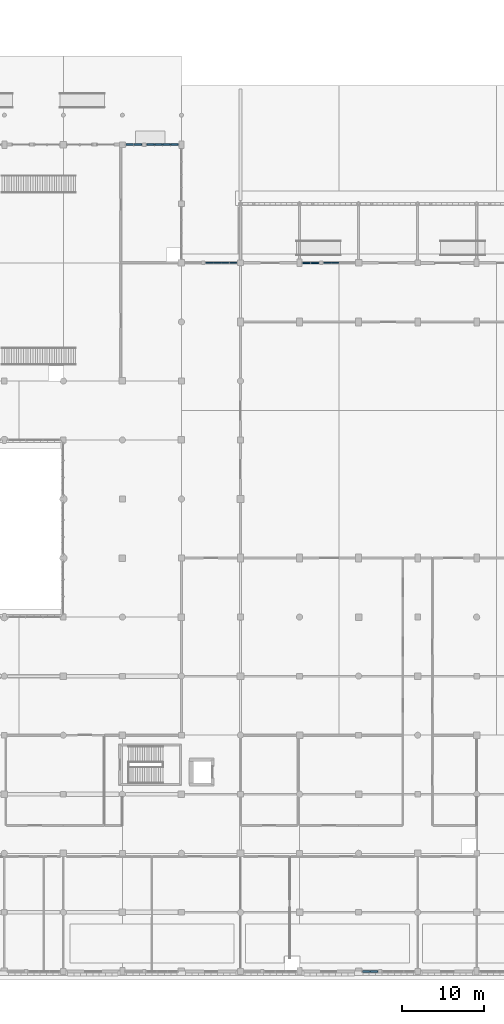
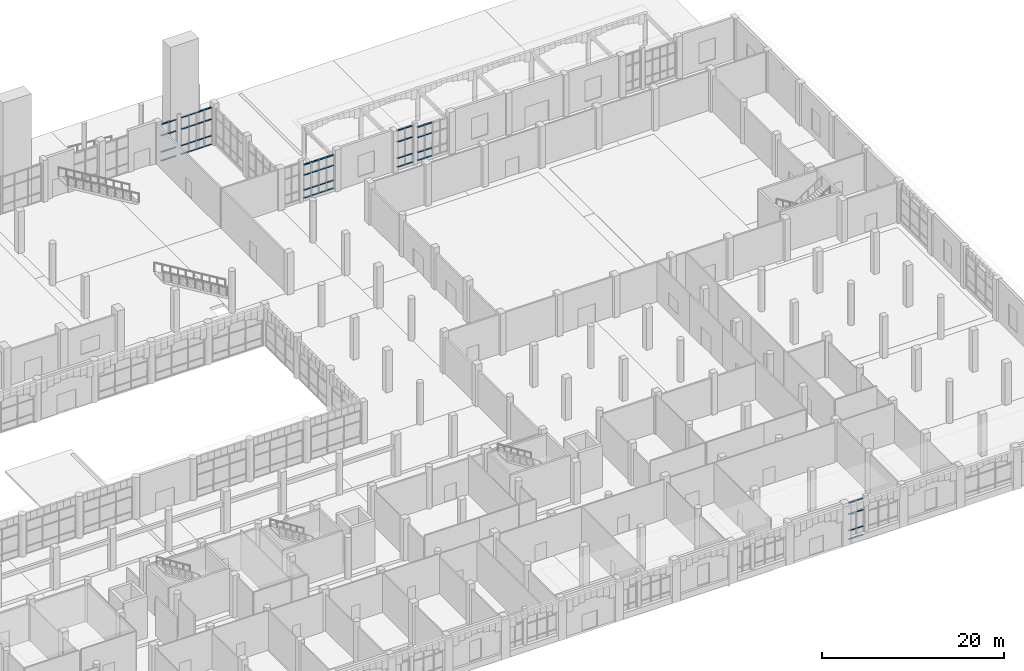
# One storey, part 35 of 85: 64 members, 6 elements without a shape of their own.
"""IFC4 building model written with IfcOpenShell, lengths in metres."""

from ifc_helpers import new_model, si_unit, direction, frame, origin, origin_2d, place, context, subcontext, project, spatial, rectangle, extrude, material, material_profile, profile_set, type_object, element, aggregate, save


model = new_model("IFC4")

# Units and contexts
model_context = context("Model", 3, precision=1e-05, world=origin(), true_north=direction((0.0, 1.0)))
body_context = subcontext(model_context, "Body", "Model", "MODEL_VIEW")
ifc_project = project(units=[si_unit("LENGTHUNIT", "METRE"), si_unit("AREAUNIT", "SQUARE_METRE"), si_unit("VOLUMEUNIT", "CUBIC_METRE"), si_unit("PLANEANGLEUNIT", "RADIAN"), si_unit("MASSUNIT", "GRAM", prefix="KILO")], contexts=[model_context])

# Site, building, storey
site_placement = place(None, origin())
site = spatial("IfcSite", under=ifc_project, at=site_placement, CompositionType="ELEMENT")
building_placement = place(site_placement, origin())
building = spatial("IfcBuilding", under=site, at=building_placement, Name="Sardonyx Promenade Sports Hall", CompositionType="ELEMENT")
storey_placement = place(building_placement, origin())
storey = spatial("IfcBuildingStorey", under=building, at=storey_placement, Name="L00", CompositionType="ELEMENT", Elevation=0.0)

# Curtain wall, members
ifc_material_1 = material(Name="Aluminium 6063-T6", Category="aluminium")
curtain_wall_type_1 = type_object("IfcCurtainWallType", Name="CW_Prac_North_L00", PredefinedType="USERDEFINED", material=ifc_material_1)
curtain_wall_1_placement = place(storey_placement, origin())
curtain_wall_1 = element("IfcCurtainWall", 1, at=curtain_wall_1_placement, inside=storey, type_object=curtain_wall_type_1, Name="Curtain wall CW06 cw:L00:098", ObjectType="CURTAIN WALL", PredefinedType="USERDEFINED")
ifc_material_2 = material(Name="Aluminium 6063-T6", Category="aluminium")
ifc_material_profile_1 = material_profile(ifc_material_2, rectangle(XDim=0.070068359375, YDim=0.159912109375, at=origin_2d()))
ifc_profile_set_1 = profile_set([ifc_material_profile_1], Name="Aluminium 6063-T6")
member_type_1 = type_object("IfcMemberType", Name="CW_Tran_160", PredefinedType="USERDEFINED", material=ifc_profile_set_1)
member_1_placement = place(storey_placement, frame((110.965087890625, 86.39990234375, 0.385009765625), z_axis=(1.0, 0.0, 0.0), x_axis=(0.0, 0.0, 1.0)))
member_1 = element("IfcMember", 2, at=member_1_placement, type_object=member_type_1, Name="Transom CT03 cw:L00:098 #1", ObjectType="TRANSOM", PredefinedType="USERDEFINED", context=body_context, shape_type="SweptSolid", body=[
    extrude(rectangle(XDim=0.070068359375, YDim=0.159912109375, at=origin_2d()), origin(), (0.0, 0.0, 1.0), 0.896240234375),
])
member_2_placement = place(storey_placement, frame((110.965087890625, 86.39990234375, 1.449951171875), z_axis=(1.0, 0.0, 0.0), x_axis=(0.0, 0.0, 1.0)))
member_2 = element("IfcMember", 3, at=member_2_placement, type_object=member_type_1, Name="Transom CT03 cw:L00:098 #2", ObjectType="TRANSOM", PredefinedType="USERDEFINED", context=body_context, shape_type="SweptSolid", body=[
    extrude(rectangle(XDim=0.070068359375, YDim=0.159912109375, at=origin_2d()), origin(), (0.0, 0.0, 1.0), 0.896240234375),
])
member_3_placement = place(storey_placement, frame((110.965087890625, 86.39990234375, 3.449951171875), z_axis=(1.0, 0.0, 0.0), x_axis=(0.0, 0.0, 1.0)))
member_3 = element("IfcMember", 4, at=member_3_placement, type_object=member_type_1, Name="Transom CT03 cw:L00:098 #3", ObjectType="TRANSOM", PredefinedType="USERDEFINED", context=body_context, shape_type="SweptSolid", body=[
    extrude(rectangle(XDim=0.070068359375, YDim=0.159912109375, at=origin_2d()), origin(), (0.0, 0.0, 1.0), 0.896240234375),
])
member_4_placement = place(storey_placement, frame((110.965087890625, 86.39990234375, 4.81494140625), z_axis=(1.0, 0.0, 0.0), x_axis=(0.0, 0.0, 1.0)))
member_4 = element("IfcMember", 5, at=member_4_placement, type_object=member_type_1, Name="Transom CT03 cw:L00:098 #4", ObjectType="TRANSOM", PredefinedType="USERDEFINED", context=body_context, shape_type="SweptSolid", body=[
    extrude(rectangle(XDim=0.070068359375, YDim=0.159912109375, at=origin_2d()), origin(), (0.0, 0.0, 1.0), 0.896240234375),
])
member_5_placement = place(storey_placement, frame((111.93115234375, 86.39990234375, 0.385009765625), z_axis=(1.0, 0.0, 0.0), x_axis=(0.0, 0.0, 1.0)))
member_5 = element("IfcMember", 6, at=member_5_placement, type_object=member_type_1, Name="Transom CT03 cw:L00:098 #5", ObjectType="TRANSOM", PredefinedType="USERDEFINED", context=body_context, shape_type="SweptSolid", body=[
    extrude(rectangle(XDim=0.070068359375, YDim=0.159912109375, at=origin_2d()), origin(), (0.0, 0.0, 1.0), 0.896240234375),
])
member_6_placement = place(storey_placement, frame((111.93115234375, 86.39990234375, 1.449951171875), z_axis=(1.0, 0.0, 0.0), x_axis=(0.0, 0.0, 1.0)))
member_6 = element("IfcMember", 7, at=member_6_placement, type_object=member_type_1, Name="Transom CT03 cw:L00:098 #6", ObjectType="TRANSOM", PredefinedType="USERDEFINED", context=body_context, shape_type="SweptSolid", body=[
    extrude(rectangle(XDim=0.070068359375, YDim=0.159912109375, at=origin_2d()), origin(), (0.0, 0.0, 1.0), 0.896240234375),
])
member_7_placement = place(storey_placement, frame((111.93115234375, 86.39990234375, 3.449951171875), z_axis=(1.0, 0.0, 0.0), x_axis=(0.0, 0.0, 1.0)))
member_7 = element("IfcMember", 8, at=member_7_placement, type_object=member_type_1, Name="Transom CT03 cw:L00:098 #7", ObjectType="TRANSOM", PredefinedType="USERDEFINED", context=body_context, shape_type="SweptSolid", body=[
    extrude(rectangle(XDim=0.070068359375, YDim=0.159912109375, at=origin_2d()), origin(), (0.0, 0.0, 1.0), 0.896240234375),
])
member_8_placement = place(storey_placement, frame((111.93115234375, 86.39990234375, 4.81494140625), z_axis=(1.0, 0.0, 0.0), x_axis=(0.0, 0.0, 1.0)))
member_8 = element("IfcMember", 9, at=member_8_placement, type_object=member_type_1, Name="Transom CT03 cw:L00:098 #8", ObjectType="TRANSOM", PredefinedType="USERDEFINED", context=body_context, shape_type="SweptSolid", body=[
    extrude(rectangle(XDim=0.070068359375, YDim=0.159912109375, at=origin_2d()), origin(), (0.0, 0.0, 1.0), 0.896240234375),
])
member_9_placement = place(storey_placement, frame((112.8974609375, 86.39990234375, 0.385009765625), z_axis=(1.0, 0.0, 0.0), x_axis=(0.0, 0.0, 1.0)))
member_9 = element("IfcMember", 10, at=member_9_placement, type_object=member_type_1, Name="Transom CT03 cw:L00:098 #9", ObjectType="TRANSOM", PredefinedType="USERDEFINED", context=body_context, shape_type="SweptSolid", body=[
    extrude(rectangle(XDim=0.070068359375, YDim=0.159912109375, at=origin_2d()), origin(), (0.0, 0.0, 1.0), 0.896240234375),
])
member_10_placement = place(storey_placement, frame((112.8974609375, 86.39990234375, 1.449951171875), z_axis=(1.0, 0.0, 0.0), x_axis=(0.0, 0.0, 1.0)))
member_10 = element("IfcMember", 11, at=member_10_placement, type_object=member_type_1, Name="Transom CT03 cw:L00:098 #10", ObjectType="TRANSOM", PredefinedType="USERDEFINED", context=body_context, shape_type="SweptSolid", body=[
    extrude(rectangle(XDim=0.070068359375, YDim=0.159912109375, at=origin_2d()), origin(), (0.0, 0.0, 1.0), 0.896240234375),
])
member_11_placement = place(storey_placement, frame((112.8974609375, 86.39990234375, 3.449951171875), z_axis=(1.0, 0.0, 0.0), x_axis=(0.0, 0.0, 1.0)))
member_11 = element("IfcMember", 12, at=member_11_placement, type_object=member_type_1, Name="Transom CT03 cw:L00:098 #11", ObjectType="TRANSOM", PredefinedType="USERDEFINED", context=body_context, shape_type="SweptSolid", body=[
    extrude(rectangle(XDim=0.070068359375, YDim=0.159912109375, at=origin_2d()), origin(), (0.0, 0.0, 1.0), 0.896240234375),
])
member_12_placement = place(storey_placement, frame((112.8974609375, 86.39990234375, 4.81494140625), z_axis=(1.0, 0.0, 0.0), x_axis=(0.0, 0.0, 1.0)))
member_12 = element("IfcMember", 13, at=member_12_placement, type_object=member_type_1, Name="Transom CT03 cw:L00:098 #12", ObjectType="TRANSOM", PredefinedType="USERDEFINED", context=body_context, shape_type="SweptSolid", body=[
    extrude(rectangle(XDim=0.070068359375, YDim=0.159912109375, at=origin_2d()), origin(), (0.0, 0.0, 1.0), 0.896240234375),
])
member_13_placement = place(storey_placement, frame((113.86376953125, 86.39990234375, 0.385009765625), z_axis=(1.0, 0.0, 0.0), x_axis=(0.0, 0.0, 1.0)))
member_13 = element("IfcMember", 14, at=member_13_placement, type_object=member_type_1, Name="Transom CT03 cw:L00:098 #13", ObjectType="TRANSOM", PredefinedType="USERDEFINED", context=body_context, shape_type="SweptSolid", body=[
    extrude(rectangle(XDim=0.070068359375, YDim=0.159912109375, at=origin_2d()), origin(), (0.0, 0.0, 1.0), 0.896240234375),
])
member_14_placement = place(storey_placement, frame((113.86376953125, 86.39990234375, 1.449951171875), z_axis=(1.0, 0.0, 0.0), x_axis=(0.0, 0.0, 1.0)))
member_14 = element("IfcMember", 15, at=member_14_placement, type_object=member_type_1, Name="Transom CT03 cw:L00:098 #14", ObjectType="TRANSOM", PredefinedType="USERDEFINED", context=body_context, shape_type="SweptSolid", body=[
    extrude(rectangle(XDim=0.070068359375, YDim=0.159912109375, at=origin_2d()), origin(), (0.0, 0.0, 1.0), 0.896240234375),
])
member_15_placement = place(storey_placement, frame((113.86376953125, 86.39990234375, 3.449951171875), z_axis=(1.0, 0.0, 0.0), x_axis=(0.0, 0.0, 1.0)))
member_15 = element("IfcMember", 16, at=member_15_placement, type_object=member_type_1, Name="Transom CT03 cw:L00:098 #15", ObjectType="TRANSOM", PredefinedType="USERDEFINED", context=body_context, shape_type="SweptSolid", body=[
    extrude(rectangle(XDim=0.070068359375, YDim=0.159912109375, at=origin_2d()), origin(), (0.0, 0.0, 1.0), 0.896240234375),
])
member_16_placement = place(storey_placement, frame((113.86376953125, 86.39990234375, 4.81494140625), z_axis=(1.0, 0.0, 0.0), x_axis=(0.0, 0.0, 1.0)))
member_16 = element("IfcMember", 17, at=member_16_placement, type_object=member_type_1, Name="Transom CT03 cw:L00:098 #16", ObjectType="TRANSOM", PredefinedType="USERDEFINED", context=body_context, shape_type="SweptSolid", body=[
    extrude(rectangle(XDim=0.070068359375, YDim=0.159912109375, at=origin_2d()), origin(), (0.0, 0.0, 1.0), 0.896240234375),
])
aggregate(curtain_wall_1, [member_1, member_2, member_3, member_4, member_5, member_6, member_7, member_8, member_9, member_10, member_11, member_12, member_13, member_14, member_15, member_16])

curtain_wall_2_placement = place(storey_placement, origin())
curtain_wall_2 = element("IfcCurtainWall", 18, at=curtain_wall_2_placement, inside=storey, type_object=curtain_wall_type_1, Name="Curtain wall CW06 cw:L00:100", ObjectType="CURTAIN WALL", PredefinedType="USERDEFINED")
member_17_placement = place(storey_placement, frame((125.364990234375, 86.39990234375, 0.385009765625), z_axis=(1.0, 0.0, 0.0), x_axis=(0.0, 0.0, 1.0)))
member_17 = element("IfcMember", 19, at=member_17_placement, type_object=member_type_1, Name="Transom CT03 cw:L00:100 #1", ObjectType="TRANSOM", PredefinedType="USERDEFINED", context=body_context, shape_type="SweptSolid", body=[
    extrude(rectangle(XDim=0.070068359375, YDim=0.159912109375, at=origin_2d()), origin(), (0.0, 0.0, 1.0), 0.8837890625),
])
member_18_placement = place(storey_placement, frame((125.364990234375, 86.39990234375, 1.449951171875), z_axis=(1.0, 0.0, 0.0), x_axis=(0.0, 0.0, 1.0)))
member_18 = element("IfcMember", 20, at=member_18_placement, type_object=member_type_1, Name="Transom CT03 cw:L00:100 #2", ObjectType="TRANSOM", PredefinedType="USERDEFINED", context=body_context, shape_type="SweptSolid", body=[
    extrude(rectangle(XDim=0.070068359375, YDim=0.159912109375, at=origin_2d()), origin(), (0.0, 0.0, 1.0), 0.8837890625),
])
member_19_placement = place(storey_placement, frame((125.364990234375, 86.39990234375, 3.449951171875), z_axis=(1.0, 0.0, 0.0), x_axis=(0.0, 0.0, 1.0)))
member_19 = element("IfcMember", 21, at=member_19_placement, type_object=member_type_1, Name="Transom CT03 cw:L00:100 #3", ObjectType="TRANSOM", PredefinedType="USERDEFINED", context=body_context, shape_type="SweptSolid", body=[
    extrude(rectangle(XDim=0.070068359375, YDim=0.159912109375, at=origin_2d()), origin(), (0.0, 0.0, 1.0), 0.8837890625),
])
member_20_placement = place(storey_placement, frame((125.364990234375, 86.39990234375, 4.81494140625), z_axis=(1.0, 0.0, 0.0), x_axis=(0.0, 0.0, 1.0)))
member_20 = element("IfcMember", 22, at=member_20_placement, type_object=member_type_1, Name="Transom CT03 cw:L00:100 #4", ObjectType="TRANSOM", PredefinedType="USERDEFINED", context=body_context, shape_type="SweptSolid", body=[
    extrude(rectangle(XDim=0.070068359375, YDim=0.159912109375, at=origin_2d()), origin(), (0.0, 0.0, 1.0), 0.8837890625),
])
member_21_placement = place(storey_placement, frame((126.31884765625, 86.39990234375, 0.385009765625), z_axis=(1.0, 0.0, 0.0), x_axis=(0.0, 0.0, 1.0)))
member_21 = element("IfcMember", 23, at=member_21_placement, type_object=member_type_1, Name="Transom CT03 cw:L00:100 #5", ObjectType="TRANSOM", PredefinedType="USERDEFINED", context=body_context, shape_type="SweptSolid", body=[
    extrude(rectangle(XDim=0.070068359375, YDim=0.159912109375, at=origin_2d()), origin(), (0.0, 0.0, 1.0), 0.883544921875),
])
member_22_placement = place(storey_placement, frame((126.31884765625, 86.39990234375, 1.449951171875), z_axis=(1.0, 0.0, 0.0), x_axis=(0.0, 0.0, 1.0)))
member_22 = element("IfcMember", 24, at=member_22_placement, type_object=member_type_1, Name="Transom CT03 cw:L00:100 #6", ObjectType="TRANSOM", PredefinedType="USERDEFINED", context=body_context, shape_type="SweptSolid", body=[
    extrude(rectangle(XDim=0.070068359375, YDim=0.159912109375, at=origin_2d()), origin(), (0.0, 0.0, 1.0), 0.883544921875),
])
member_23_placement = place(storey_placement, frame((126.31884765625, 86.39990234375, 3.449951171875), z_axis=(1.0, 0.0, 0.0), x_axis=(0.0, 0.0, 1.0)))
member_23 = element("IfcMember", 25, at=member_23_placement, type_object=member_type_1, Name="Transom CT03 cw:L00:100 #7", ObjectType="TRANSOM", PredefinedType="USERDEFINED", context=body_context, shape_type="SweptSolid", body=[
    extrude(rectangle(XDim=0.070068359375, YDim=0.159912109375, at=origin_2d()), origin(), (0.0, 0.0, 1.0), 0.883544921875),
])
member_24_placement = place(storey_placement, frame((126.31884765625, 86.39990234375, 4.81494140625), z_axis=(1.0, 0.0, 0.0), x_axis=(0.0, 0.0, 1.0)))
member_24 = element("IfcMember", 26, at=member_24_placement, type_object=member_type_1, Name="Transom CT03 cw:L00:100 #8", ObjectType="TRANSOM", PredefinedType="USERDEFINED", context=body_context, shape_type="SweptSolid", body=[
    extrude(rectangle(XDim=0.070068359375, YDim=0.159912109375, at=origin_2d()), origin(), (0.0, 0.0, 1.0), 0.883544921875),
])
aggregate(curtain_wall_2, [member_17, member_18, member_19, member_20, member_21, member_22, member_23, member_24])

ifc_material_3 = material(Name="Aluminium 6063-T6", Category="aluminium")
curtain_wall_type_2 = type_object("IfcCurtainWallType", Name="CW_Foyer_Pilaster_L00", PredefinedType="USERDEFINED", material=ifc_material_3)
curtain_wall_3_placement = place(storey_placement, origin())
curtain_wall_3 = element("IfcCurtainWall", 27, at=curtain_wall_3_placement, inside=storey, type_object=curtain_wall_type_2, Name="Curtain wall CW20 cw:L00:004", ObjectType="CURTAIN WALL", PredefinedType="USERDEFINED")
ifc_material_4 = material(Name="Aluminium 6063-T6", Category="aluminium")
ifc_material_profile_2 = material_profile(ifc_material_4, rectangle(XDim=0.074951171875, YDim=0.179931640625, at=origin_2d()))
ifc_profile_set_2 = profile_set([ifc_material_profile_2], Name="Aluminium 6063-T6")
member_type_2 = type_object("IfcMemberType", Name="CW_Tran_180", PredefinedType="USERDEFINED", material=ifc_profile_set_2)
member_25_placement = place(storey_placement, frame((131.929931640625, 0.0, 0.387451171875), z_axis=(-1.0, 0.0, 0.0), x_axis=(0.0, 0.0, 1.0)))
member_25 = element("IfcMember", 28, at=member_25_placement, type_object=member_type_2, Name="Transom CT04 cw:L00:004 #1", ObjectType="TRANSOM", PredefinedType="USERDEFINED", context=body_context, shape_type="SweptSolid", body=[
    extrude(rectangle(XDim=0.074951171875, YDim=0.179931640625, at=origin_2d()), origin(), (0.0, 0.0, 1.0), 0.8798828125),
])
member_26_placement = place(storey_placement, frame((131.929931640625, 0.0, 1.550048828125), z_axis=(-1.0, 0.0, 0.0), x_axis=(0.0, 0.0, 1.0)))
member_26 = element("IfcMember", 29, at=member_26_placement, type_object=member_type_2, Name="Transom CT04 cw:L00:004 #2", ObjectType="TRANSOM", PredefinedType="USERDEFINED", context=body_context, shape_type="SweptSolid", body=[
    extrude(rectangle(XDim=0.074951171875, YDim=0.179931640625, at=origin_2d()), origin(), (0.0, 0.0, 1.0), 0.8798828125),
])
member_27_placement = place(storey_placement, frame((131.929931640625, 0.0, 3.75), z_axis=(-1.0, 0.0, 0.0), x_axis=(0.0, 0.0, 1.0)))
member_27 = element("IfcMember", 30, at=member_27_placement, type_object=member_type_2, Name="Transom CT04 cw:L00:004 #3", ObjectType="TRANSOM", PredefinedType="USERDEFINED", context=body_context, shape_type="SweptSolid", body=[
    extrude(rectangle(XDim=0.074951171875, YDim=0.179931640625, at=origin_2d()), origin(), (0.0, 0.0, 1.0), 0.8798828125),
])
member_28_placement = place(storey_placement, frame((131.929931640625, 0.0, 5.262451171875), z_axis=(-1.0, 0.0, 0.0), x_axis=(0.0, 0.0, 1.0)))
member_28 = element("IfcMember", 31, at=member_28_placement, type_object=member_type_2, Name="Transom CT04 cw:L00:004 #4", ObjectType="TRANSOM", PredefinedType="USERDEFINED", context=body_context, shape_type="SweptSolid", body=[
    extrude(rectangle(XDim=0.074951171875, YDim=0.179931640625, at=origin_2d()), origin(), (0.0, 0.0, 1.0), 0.8798828125),
])
member_29_placement = place(storey_placement, frame((130.97509765625, 0.0, 0.387451171875), z_axis=(-1.0, 0.0, 0.0), x_axis=(0.0, 0.0, 1.0)))
member_29 = element("IfcMember", 32, at=member_29_placement, type_object=member_type_2, Name="Transom CT04 cw:L00:004 #5", ObjectType="TRANSOM", PredefinedType="USERDEFINED", context=body_context, shape_type="SweptSolid", body=[
    extrude(rectangle(XDim=0.074951171875, YDim=0.179931640625, at=origin_2d()), origin(), (0.0, 0.0, 1.0), 0.880126953125),
])
member_30_placement = place(storey_placement, frame((130.97509765625, 0.0, 1.550048828125), z_axis=(-1.0, 0.0, 0.0), x_axis=(0.0, 0.0, 1.0)))
member_30 = element("IfcMember", 33, at=member_30_placement, type_object=member_type_2, Name="Transom CT04 cw:L00:004 #6", ObjectType="TRANSOM", PredefinedType="USERDEFINED", context=body_context, shape_type="SweptSolid", body=[
    extrude(rectangle(XDim=0.074951171875, YDim=0.179931640625, at=origin_2d()), origin(), (0.0, 0.0, 1.0), 0.880126953125),
])
member_31_placement = place(storey_placement, frame((130.97509765625, 0.0, 3.75), z_axis=(-1.0, 0.0, 0.0), x_axis=(0.0, 0.0, 1.0)))
member_31 = element("IfcMember", 34, at=member_31_placement, type_object=member_type_2, Name="Transom CT04 cw:L00:004 #7", ObjectType="TRANSOM", PredefinedType="USERDEFINED", context=body_context, shape_type="SweptSolid", body=[
    extrude(rectangle(XDim=0.074951171875, YDim=0.179931640625, at=origin_2d()), origin(), (0.0, 0.0, 1.0), 0.880126953125),
])
member_32_placement = place(storey_placement, frame((130.97509765625, 0.0, 5.262451171875), z_axis=(-1.0, 0.0, 0.0), x_axis=(0.0, 0.0, 1.0)))
member_32 = element("IfcMember", 35, at=member_32_placement, type_object=member_type_2, Name="Transom CT04 cw:L00:004 #8", ObjectType="TRANSOM", PredefinedType="USERDEFINED", context=body_context, shape_type="SweptSolid", body=[
    extrude(rectangle(XDim=0.074951171875, YDim=0.179931640625, at=origin_2d()), origin(), (0.0, 0.0, 1.0), 0.880126953125),
])
aggregate(curtain_wall_3, [member_25, member_26, member_27, member_28, member_29, member_30, member_31, member_32])

curtain_wall_4_placement = place(storey_placement, origin())
curtain_wall_4 = element("IfcCurtainWall", 36, at=curtain_wall_4_placement, inside=storey, type_object=curtain_wall_type_2, Name="Curtain wall CW20 cw:L00:087", ObjectType="CURTAIN WALL", PredefinedType="USERDEFINED")
member_33_placement = place(storey_placement, frame((101.2451171875, 100.800048828125, 0.03759765625), z_axis=(1.0, 0.0, 0.0), x_axis=(0.0, 0.0, 1.0)))
member_33 = element("IfcMember", 37, at=member_33_placement, type_object=member_type_2, Name="Transom CT04 cw:L00:087 #1", ObjectType="TRANSOM", PredefinedType="USERDEFINED", context=body_context, shape_type="SweptSolid", body=[
    extrude(rectangle(XDim=0.074951171875, YDim=0.179931640625, at=origin_2d()), origin(), (0.0, 0.0, 1.0), 0.90478515625),
])
member_34_placement = place(storey_placement, frame((101.2451171875, 100.800048828125, 1.199951171875), z_axis=(1.0, 0.0, 0.0), x_axis=(0.0, 0.0, 1.0)))
member_34 = element("IfcMember", 38, at=member_34_placement, type_object=member_type_2, Name="Transom CT04 cw:L00:087 #2", ObjectType="TRANSOM", PredefinedType="USERDEFINED", context=body_context, shape_type="SweptSolid", body=[
    extrude(rectangle(XDim=0.074951171875, YDim=0.179931640625, at=origin_2d()), origin(), (0.0, 0.0, 1.0), 0.90478515625),
])
member_35_placement = place(storey_placement, frame((101.2451171875, 100.800048828125, 3.39990234375), z_axis=(1.0, 0.0, 0.0), x_axis=(0.0, 0.0, 1.0)))
member_35 = element("IfcMember", 39, at=member_35_placement, type_object=member_type_2, Name="Transom CT04 cw:L00:087 #3", ObjectType="TRANSOM", PredefinedType="USERDEFINED", context=body_context, shape_type="SweptSolid", body=[
    extrude(rectangle(XDim=0.074951171875, YDim=0.179931640625, at=origin_2d()), origin(), (0.0, 0.0, 1.0), 0.90478515625),
])
member_36_placement = place(storey_placement, frame((101.2451171875, 100.800048828125, 4.91259765625), z_axis=(1.0, 0.0, 0.0), x_axis=(0.0, 0.0, 1.0)))
member_36 = element("IfcMember", 40, at=member_36_placement, type_object=member_type_2, Name="Transom CT04 cw:L00:087 #4", ObjectType="TRANSOM", PredefinedType="USERDEFINED", context=body_context, shape_type="SweptSolid", body=[
    extrude(rectangle(XDim=0.074951171875, YDim=0.179931640625, at=origin_2d()), origin(), (0.0, 0.0, 1.0), 0.90478515625),
])
member_37_placement = place(storey_placement, frame((102.22509765625, 100.800048828125, 0.03759765625), z_axis=(1.0, 0.0, 0.0), x_axis=(0.0, 0.0, 1.0)))
member_37 = element("IfcMember", 41, at=member_37_placement, type_object=member_type_2, Name="Transom CT04 cw:L00:087 #5", ObjectType="TRANSOM", PredefinedType="USERDEFINED", context=body_context, shape_type="SweptSolid", body=[
    extrude(rectangle(XDim=0.074951171875, YDim=0.179931640625, at=origin_2d()), origin(), (0.0, 0.0, 1.0), 0.90478515625),
])
member_38_placement = place(storey_placement, frame((102.22509765625, 100.800048828125, 1.199951171875), z_axis=(1.0, 0.0, 0.0), x_axis=(0.0, 0.0, 1.0)))
member_38 = element("IfcMember", 42, at=member_38_placement, type_object=member_type_2, Name="Transom CT04 cw:L00:087 #6", ObjectType="TRANSOM", PredefinedType="USERDEFINED", context=body_context, shape_type="SweptSolid", body=[
    extrude(rectangle(XDim=0.074951171875, YDim=0.179931640625, at=origin_2d()), origin(), (0.0, 0.0, 1.0), 0.90478515625),
])
member_39_placement = place(storey_placement, frame((102.22509765625, 100.800048828125, 3.39990234375), z_axis=(1.0, 0.0, 0.0), x_axis=(0.0, 0.0, 1.0)))
member_39 = element("IfcMember", 43, at=member_39_placement, type_object=member_type_2, Name="Transom CT04 cw:L00:087 #7", ObjectType="TRANSOM", PredefinedType="USERDEFINED", context=body_context, shape_type="SweptSolid", body=[
    extrude(rectangle(XDim=0.074951171875, YDim=0.179931640625, at=origin_2d()), origin(), (0.0, 0.0, 1.0), 0.90478515625),
])
member_40_placement = place(storey_placement, frame((102.22509765625, 100.800048828125, 4.91259765625), z_axis=(1.0, 0.0, 0.0), x_axis=(0.0, 0.0, 1.0)))
member_40 = element("IfcMember", 44, at=member_40_placement, type_object=member_type_2, Name="Transom CT04 cw:L00:087 #8", ObjectType="TRANSOM", PredefinedType="USERDEFINED", context=body_context, shape_type="SweptSolid", body=[
    extrude(rectangle(XDim=0.074951171875, YDim=0.179931640625, at=origin_2d()), origin(), (0.0, 0.0, 1.0), 0.90478515625),
])
aggregate(curtain_wall_4, [member_33, member_34, member_35, member_36, member_37, member_38, member_39, member_40])

ifc_material_5 = material(Name="Aluminium 6063-T6", Category="aluminium")
curtain_wall_type_3 = type_object("IfcCurtainWallType", Name="CW_Foyer_L00_Tall", PredefinedType="USERDEFINED", material=ifc_material_5)
curtain_wall_5_placement = place(storey_placement, origin())
curtain_wall_5 = element("IfcCurtainWall", 45, at=curtain_wall_5_placement, inside=storey, type_object=curtain_wall_type_3, Name="Curtain wall CW13 cw:L00:088", ObjectType="CURTAIN WALL", PredefinedType="USERDEFINED")
member_41_placement = place(storey_placement, frame((103.77001953125, 100.800048828125, 0.03759765625), z_axis=(1.0, 0.0, 0.0), x_axis=(0.0, 0.0, 1.0)))
member_41 = element("IfcMember", 46, at=member_41_placement, type_object=member_type_2, Name="Transom CT04 cw:L00:088 #1", ObjectType="TRANSOM", PredefinedType="USERDEFINED", context=body_context, shape_type="SweptSolid", body=[
    extrude(rectangle(XDim=0.074951171875, YDim=0.179931640625, at=origin_2d()), origin(), (0.0, 0.0, 1.0), 0.902587890625),
])
member_42_placement = place(storey_placement, frame((103.77001953125, 100.800048828125, 1.199951171875), z_axis=(1.0, 0.0, 0.0), x_axis=(0.0, 0.0, 1.0)))
member_42 = element("IfcMember", 47, at=member_42_placement, type_object=member_type_2, Name="Transom CT04 cw:L00:088 #2", ObjectType="TRANSOM", PredefinedType="USERDEFINED", context=body_context, shape_type="SweptSolid", body=[
    extrude(rectangle(XDim=0.074951171875, YDim=0.179931640625, at=origin_2d()), origin(), (0.0, 0.0, 1.0), 0.902587890625),
])
member_43_placement = place(storey_placement, frame((103.77001953125, 100.800048828125, 3.39990234375), z_axis=(1.0, 0.0, 0.0), x_axis=(0.0, 0.0, 1.0)))
member_43 = element("IfcMember", 48, at=member_43_placement, type_object=member_type_2, Name="Transom CT04 cw:L00:088 #3", ObjectType="TRANSOM", PredefinedType="USERDEFINED", context=body_context, shape_type="SweptSolid", body=[
    extrude(rectangle(XDim=0.074951171875, YDim=0.179931640625, at=origin_2d()), origin(), (0.0, 0.0, 1.0), 0.902587890625),
])
member_44_placement = place(storey_placement, frame((103.77001953125, 100.800048828125, 4.947509765625), z_axis=(1.0, 0.0, 0.0), x_axis=(0.0, 0.0, 1.0)))
member_44 = element("IfcMember", 49, at=member_44_placement, type_object=member_type_2, Name="Transom CT04 cw:L00:088 #4", ObjectType="TRANSOM", PredefinedType="USERDEFINED", context=body_context, shape_type="SweptSolid", body=[
    extrude(rectangle(XDim=0.074951171875, YDim=0.179931640625, at=origin_2d()), origin(), (0.0, 0.0, 1.0), 0.902587890625),
])
member_45_placement = place(storey_placement, frame((104.74755859375, 100.800048828125, 0.03759765625), z_axis=(1.0, 0.0, 0.0), x_axis=(0.0, 0.0, 1.0)))
member_45 = element("IfcMember", 50, at=member_45_placement, type_object=member_type_2, Name="Transom CT04 cw:L00:088 #5", ObjectType="TRANSOM", PredefinedType="USERDEFINED", context=body_context, shape_type="SweptSolid", body=[
    extrude(rectangle(XDim=0.074951171875, YDim=0.179931640625, at=origin_2d()), origin(), (0.0, 0.0, 1.0), 0.90234375),
])
member_46_placement = place(storey_placement, frame((104.74755859375, 100.800048828125, 1.199951171875), z_axis=(1.0, 0.0, 0.0), x_axis=(0.0, 0.0, 1.0)))
member_46 = element("IfcMember", 51, at=member_46_placement, type_object=member_type_2, Name="Transom CT04 cw:L00:088 #6", ObjectType="TRANSOM", PredefinedType="USERDEFINED", context=body_context, shape_type="SweptSolid", body=[
    extrude(rectangle(XDim=0.074951171875, YDim=0.179931640625, at=origin_2d()), origin(), (0.0, 0.0, 1.0), 0.90234375),
])
member_47_placement = place(storey_placement, frame((104.74755859375, 100.800048828125, 3.39990234375), z_axis=(1.0, 0.0, 0.0), x_axis=(0.0, 0.0, 1.0)))
member_47 = element("IfcMember", 52, at=member_47_placement, type_object=member_type_2, Name="Transom CT04 cw:L00:088 #7", ObjectType="TRANSOM", PredefinedType="USERDEFINED", context=body_context, shape_type="SweptSolid", body=[
    extrude(rectangle(XDim=0.074951171875, YDim=0.179931640625, at=origin_2d()), origin(), (0.0, 0.0, 1.0), 0.90234375),
])
member_48_placement = place(storey_placement, frame((104.74755859375, 100.800048828125, 4.947509765625), z_axis=(1.0, 0.0, 0.0), x_axis=(0.0, 0.0, 1.0)))
member_48 = element("IfcMember", 53, at=member_48_placement, type_object=member_type_2, Name="Transom CT04 cw:L00:088 #8", ObjectType="TRANSOM", PredefinedType="USERDEFINED", context=body_context, shape_type="SweptSolid", body=[
    extrude(rectangle(XDim=0.074951171875, YDim=0.179931640625, at=origin_2d()), origin(), (0.0, 0.0, 1.0), 0.90234375),
])
member_49_placement = place(storey_placement, frame((105.72509765625, 100.800048828125, 0.03759765625), z_axis=(1.0, 0.0, 0.0), x_axis=(0.0, 0.0, 1.0)))
member_49 = element("IfcMember", 54, at=member_49_placement, type_object=member_type_2, Name="Transom CT04 cw:L00:088 #9", ObjectType="TRANSOM", PredefinedType="USERDEFINED", context=body_context, shape_type="SweptSolid", body=[
    extrude(rectangle(XDim=0.074951171875, YDim=0.179931640625, at=origin_2d()), origin(), (0.0, 0.0, 1.0), 0.90234375),
])
member_50_placement = place(storey_placement, frame((105.72509765625, 100.800048828125, 1.199951171875), z_axis=(1.0, 0.0, 0.0), x_axis=(0.0, 0.0, 1.0)))
member_50 = element("IfcMember", 55, at=member_50_placement, type_object=member_type_2, Name="Transom CT04 cw:L00:088 #10", ObjectType="TRANSOM", PredefinedType="USERDEFINED", context=body_context, shape_type="SweptSolid", body=[
    extrude(rectangle(XDim=0.074951171875, YDim=0.179931640625, at=origin_2d()), origin(), (0.0, 0.0, 1.0), 0.90234375),
])
member_51_placement = place(storey_placement, frame((105.72509765625, 100.800048828125, 3.39990234375), z_axis=(1.0, 0.0, 0.0), x_axis=(0.0, 0.0, 1.0)))
member_51 = element("IfcMember", 56, at=member_51_placement, type_object=member_type_2, Name="Transom CT04 cw:L00:088 #11", ObjectType="TRANSOM", PredefinedType="USERDEFINED", context=body_context, shape_type="SweptSolid", body=[
    extrude(rectangle(XDim=0.074951171875, YDim=0.179931640625, at=origin_2d()), origin(), (0.0, 0.0, 1.0), 0.90234375),
])
member_52_placement = place(storey_placement, frame((105.72509765625, 100.800048828125, 4.947509765625), z_axis=(1.0, 0.0, 0.0), x_axis=(0.0, 0.0, 1.0)))
member_52 = element("IfcMember", 57, at=member_52_placement, type_object=member_type_2, Name="Transom CT04 cw:L00:088 #12", ObjectType="TRANSOM", PredefinedType="USERDEFINED", context=body_context, shape_type="SweptSolid", body=[
    extrude(rectangle(XDim=0.074951171875, YDim=0.179931640625, at=origin_2d()), origin(), (0.0, 0.0, 1.0), 0.90234375),
])
member_53_placement = place(storey_placement, frame((106.702392578125, 100.800048828125, 0.03759765625), z_axis=(1.0, 0.0, 0.0), x_axis=(0.0, 0.0, 1.0)))
member_53 = element("IfcMember", 58, at=member_53_placement, type_object=member_type_2, Name="Transom CT04 cw:L00:088 #13", ObjectType="TRANSOM", PredefinedType="USERDEFINED", context=body_context, shape_type="SweptSolid", body=[
    extrude(rectangle(XDim=0.074951171875, YDim=0.179931640625, at=origin_2d()), origin(), (0.0, 0.0, 1.0), 0.902587890625),
])
member_54_placement = place(storey_placement, frame((106.702392578125, 100.800048828125, 1.199951171875), z_axis=(1.0, 0.0, 0.0), x_axis=(0.0, 0.0, 1.0)))
member_54 = element("IfcMember", 59, at=member_54_placement, type_object=member_type_2, Name="Transom CT04 cw:L00:088 #14", ObjectType="TRANSOM", PredefinedType="USERDEFINED", context=body_context, shape_type="SweptSolid", body=[
    extrude(rectangle(XDim=0.074951171875, YDim=0.179931640625, at=origin_2d()), origin(), (0.0, 0.0, 1.0), 0.902587890625),
])
member_55_placement = place(storey_placement, frame((106.702392578125, 100.800048828125, 3.39990234375), z_axis=(1.0, 0.0, 0.0), x_axis=(0.0, 0.0, 1.0)))
member_55 = element("IfcMember", 60, at=member_55_placement, type_object=member_type_2, Name="Transom CT04 cw:L00:088 #15", ObjectType="TRANSOM", PredefinedType="USERDEFINED", context=body_context, shape_type="SweptSolid", body=[
    extrude(rectangle(XDim=0.074951171875, YDim=0.179931640625, at=origin_2d()), origin(), (0.0, 0.0, 1.0), 0.902587890625),
])
member_56_placement = place(storey_placement, frame((106.702392578125, 100.800048828125, 4.947509765625), z_axis=(1.0, 0.0, 0.0), x_axis=(0.0, 0.0, 1.0)))
member_56 = element("IfcMember", 61, at=member_56_placement, type_object=member_type_2, Name="Transom CT04 cw:L00:088 #16", ObjectType="TRANSOM", PredefinedType="USERDEFINED", context=body_context, shape_type="SweptSolid", body=[
    extrude(rectangle(XDim=0.074951171875, YDim=0.179931640625, at=origin_2d()), origin(), (0.0, 0.0, 1.0), 0.902587890625),
])
aggregate(curtain_wall_5, [member_41, member_42, member_43, member_44, member_45, member_46, member_47, member_48, member_49, member_50, member_51, member_52, member_53, member_54, member_55, member_56])

curtain_wall_6_placement = place(storey_placement, origin())
curtain_wall_6 = element("IfcCurtainWall", 62, at=curtain_wall_6_placement, inside=storey, type_object=curtain_wall_type_2, Name="Curtain wall CW20 cw:L00:099", ObjectType="CURTAIN WALL", PredefinedType="USERDEFINED")
member_57_placement = place(storey_placement, frame((122.794921875, 86.39990234375, 0.387451171875), z_axis=(1.0, 0.0, 0.0), x_axis=(0.0, 0.0, 1.0)))
member_57 = element("IfcMember", 63, at=member_57_placement, type_object=member_type_2, Name="Transom CT04 cw:L00:099 #1", ObjectType="TRANSOM", PredefinedType="USERDEFINED", context=body_context, shape_type="SweptSolid", body=[
    extrude(rectangle(XDim=0.074951171875, YDim=0.179931640625, at=origin_2d()), origin(), (0.0, 0.0, 1.0), 0.93017578125),
])
member_58_placement = place(storey_placement, frame((122.794921875, 86.39990234375, 1.550048828125), z_axis=(1.0, 0.0, 0.0), x_axis=(0.0, 0.0, 1.0)))
member_58 = element("IfcMember", 64, at=member_58_placement, type_object=member_type_2, Name="Transom CT04 cw:L00:099 #2", ObjectType="TRANSOM", PredefinedType="USERDEFINED", context=body_context, shape_type="SweptSolid", body=[
    extrude(rectangle(XDim=0.074951171875, YDim=0.179931640625, at=origin_2d()), origin(), (0.0, 0.0, 1.0), 0.93017578125),
])
member_59_placement = place(storey_placement, frame((122.794921875, 86.39990234375, 3.75), z_axis=(1.0, 0.0, 0.0), x_axis=(0.0, 0.0, 1.0)))
member_59 = element("IfcMember", 65, at=member_59_placement, type_object=member_type_2, Name="Transom CT04 cw:L00:099 #3", ObjectType="TRANSOM", PredefinedType="USERDEFINED", context=body_context, shape_type="SweptSolid", body=[
    extrude(rectangle(XDim=0.074951171875, YDim=0.179931640625, at=origin_2d()), origin(), (0.0, 0.0, 1.0), 0.93017578125),
])
member_60_placement = place(storey_placement, frame((122.794921875, 86.39990234375, 5.262451171875), z_axis=(1.0, 0.0, 0.0), x_axis=(0.0, 0.0, 1.0)))
member_60 = element("IfcMember", 66, at=member_60_placement, type_object=member_type_2, Name="Transom CT04 cw:L00:099 #4", ObjectType="TRANSOM", PredefinedType="USERDEFINED", context=body_context, shape_type="SweptSolid", body=[
    extrude(rectangle(XDim=0.074951171875, YDim=0.179931640625, at=origin_2d()), origin(), (0.0, 0.0, 1.0), 0.93017578125),
])
member_61_placement = place(storey_placement, frame((123.800048828125, 86.39990234375, 0.387451171875), z_axis=(1.0, 0.0, 0.0), x_axis=(0.0, 0.0, 1.0)))
member_61 = element("IfcMember", 67, at=member_61_placement, type_object=member_type_2, Name="Transom CT04 cw:L00:099 #5", ObjectType="TRANSOM", PredefinedType="USERDEFINED", context=body_context, shape_type="SweptSolid", body=[
    extrude(rectangle(XDim=0.074951171875, YDim=0.179931640625, at=origin_2d()), origin(), (0.0, 0.0, 1.0), 0.929931640625),
])
member_62_placement = place(storey_placement, frame((123.800048828125, 86.39990234375, 1.550048828125), z_axis=(1.0, 0.0, 0.0), x_axis=(0.0, 0.0, 1.0)))
member_62 = element("IfcMember", 68, at=member_62_placement, type_object=member_type_2, Name="Transom CT04 cw:L00:099 #6", ObjectType="TRANSOM", PredefinedType="USERDEFINED", context=body_context, shape_type="SweptSolid", body=[
    extrude(rectangle(XDim=0.074951171875, YDim=0.179931640625, at=origin_2d()), origin(), (0.0, 0.0, 1.0), 0.929931640625),
])
member_63_placement = place(storey_placement, frame((123.800048828125, 86.39990234375, 3.75), z_axis=(1.0, 0.0, 0.0), x_axis=(0.0, 0.0, 1.0)))
member_63 = element("IfcMember", 69, at=member_63_placement, type_object=member_type_2, Name="Transom CT04 cw:L00:099 #7", ObjectType="TRANSOM", PredefinedType="USERDEFINED", context=body_context, shape_type="SweptSolid", body=[
    extrude(rectangle(XDim=0.074951171875, YDim=0.179931640625, at=origin_2d()), origin(), (0.0, 0.0, 1.0), 0.929931640625),
])
member_64_placement = place(storey_placement, frame((123.800048828125, 86.39990234375, 5.262451171875), z_axis=(1.0, 0.0, 0.0), x_axis=(0.0, 0.0, 1.0)))
member_64 = element("IfcMember", 70, at=member_64_placement, type_object=member_type_2, Name="Transom CT04 cw:L00:099 #8", ObjectType="TRANSOM", PredefinedType="USERDEFINED", context=body_context, shape_type="SweptSolid", body=[
    extrude(rectangle(XDim=0.074951171875, YDim=0.179931640625, at=origin_2d()), origin(), (0.0, 0.0, 1.0), 0.929931640625),
])
aggregate(curtain_wall_6, [member_57, member_58, member_59, member_60, member_61, member_62, member_63, member_64])

save(model, "model.ifc")
